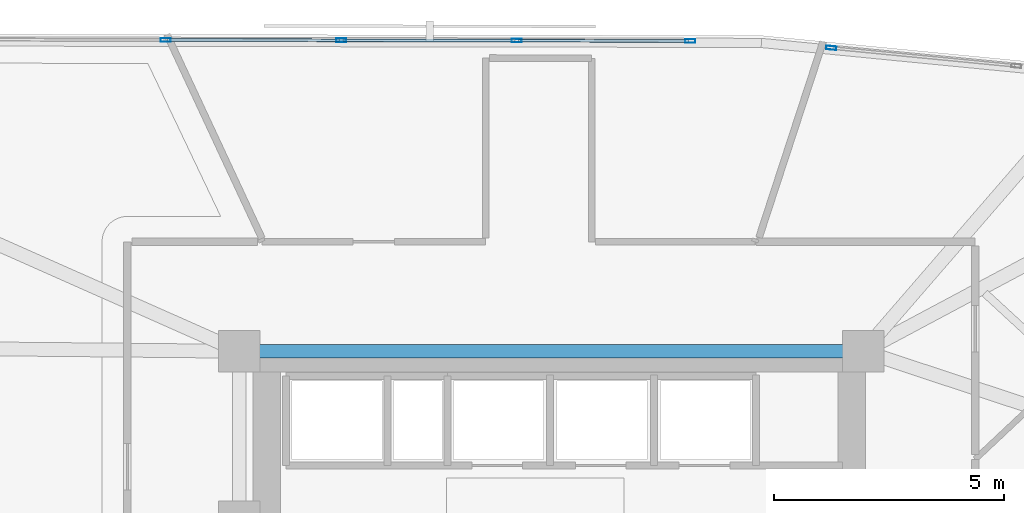
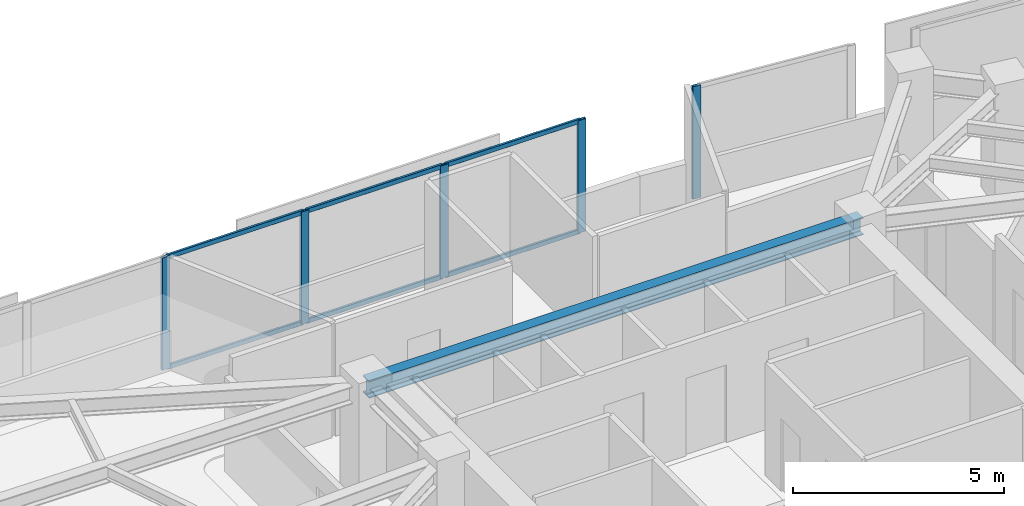
# One storey, part 3 of 14: 11 members, 1 beam, 2 elements without a shape of their own.
"""IFC4 building model written with IfcOpenShell, lengths in metres."""

from ifc_helpers import new_model, si_unit, direction, frame, origin, origin_2d, place, context, subcontext, project, spatial, hollow_rectangle, i_section, extrude, material, material_profile, profile_set, type_object, element, aggregate, save


model = new_model("IFC4")

# Units and contexts
model_context = context("Model", 3, precision=1e-05, world=origin(), true_north=direction((0.0, 1.0)))
body_context = subcontext(model_context, "Body", "Model", "MODEL_VIEW")
ifc_project = project(units=[si_unit("LENGTHUNIT", "METRE"), si_unit("AREAUNIT", "SQUARE_METRE"), si_unit("VOLUMEUNIT", "CUBIC_METRE"), si_unit("PLANEANGLEUNIT", "RADIAN"), si_unit("MASSUNIT", "GRAM", prefix="KILO")], contexts=[model_context])

# Site, building, storey
site_placement = place(None, origin())
site = spatial("IfcSite", under=ifc_project, at=site_placement, CompositionType="ELEMENT")
building_placement = place(site_placement, origin())
building = spatial("IfcBuilding", under=site, at=building_placement, Name="Narakoshi Arena Tower", CompositionType="ELEMENT")
storey_placement = place(building_placement, frame((0.0, 0.0, 250.179931640625)))
storey = spatial("IfcBuildingStorey", under=building, at=storey_placement, Name="L68", CompositionType="ELEMENT", Elevation=250.179931640625)

# Beam
ifc_material_1 = material(Name="Structural steel S355J2", Category="steel")
ifc_material_profile_1 = material_profile(ifc_material_1, i_section(OverallWidth=0.300048828125, OverallDepth=0.5, WebThickness=0.014404296875, FlangeThickness=0.028076171875, FilletRadius=0.027099609375, at=origin_2d()), Name="HE500B")
ifc_profile_set_1 = profile_set([ifc_material_profile_1], Name="Structural steel S355J2")
beam_type = type_object("IfcBeamType", Name="BM-PRI-500", PredefinedType="BEAM", material=ifc_profile_set_1)
beam_placement = place(storey_placement, frame((72.0, 56.5, 3.010009765625), z_axis=(1.0, 0.0, 0.0), x_axis=(0.0, 1.0, 0.0)))
element("IfcBeam", 1, at=beam_placement, inside=storey, type_object=beam_type, Name="L68 Core Perimeter Frame Beam CC5-CC6", PredefinedType="BEAM", context=body_context, shape_type="SweptSolid", body=[
    extrude(i_section(OverallWidth=0.300048828125, OverallDepth=0.5, WebThickness=0.014404296875, FlangeThickness=0.028076171875, FilletRadius=0.027099609375, at=origin_2d()), origin(), (0.0, 0.0, 1.0), 13.550048828125),
])

# Curtain wall, member
ifc_material_2 = material(Name="Anodised bronze aluminium 6063-T6", Category="aluminium")
curtain_wall_type = type_object("IfcCurtainWallType", Name="CW-HYP-HIGH", PredefinedType="NOTDEFINED", material=ifc_material_2)
curtain_wall_1_placement = place(storey_placement, origin())
curtain_wall_1 = element("IfcCurtainWall", 2, at=curtain_wall_1_placement, inside=storey, type_object=curtain_wall_type, Name="L68 Folded Hypotenuse Curtain Wall 1-2", PredefinedType="NOTDEFINED")
ifc_material_profile_2 = material_profile(ifc_material_2, hollow_rectangle(XDim=0.080078125, YDim=0.219970703125, WallThickness=0.0048828125, OuterFilletRadius=0.006103515625, at=origin_2d()), Name="MUL220x80x5")
ifc_profile_set_2 = profile_set([ifc_material_profile_2], Name="Anodised bronze aluminium 6063-T6")
member_type_1 = type_object("IfcMemberType", Name="MEM-MUL-220", PredefinedType="MULLION", material=ifc_profile_set_2)
member_1_placement = place(storey_placement, frame((84.853515625, 63.084716796875, 0.0), z_axis=(0.0, 0.0, 1.0), x_axis=(-0.096842858471, -0.995299683896, 0.0)))
member_1 = element("IfcMember", 3, at=member_1_placement, type_object=member_type_1, Name="CW-03 mullion 2", PredefinedType="MULLION", context=body_context, shape_type="SweptSolid", body=[
    extrude(hollow_rectangle(XDim=0.080078125, YDim=0.219970703125, WallThickness=0.0048828125, OuterFilletRadius=0.006103515625, at=origin_2d()), origin(), (0.0, 0.0, 1.0), 3.260009765625),
])
aggregate(curtain_wall_1, [member_1])

# Curtain wall, members
curtain_wall_2_placement = place(storey_placement, origin())
curtain_wall_2 = element("IfcCurtainWall", 4, at=curtain_wall_2_placement, inside=storey, type_object=curtain_wall_type, Name="L68 Folded Hypotenuse Curtain Wall 2-1", PredefinedType="NOTDEFINED")
member_2_placement = place(storey_placement, frame((81.792236328125, 63.236083984375, 0.0), z_axis=(0.0, 0.0, 1.0), x_axis=(-0.001819896899, -0.999998343986, 0.0)))
member_2 = element("IfcMember", 5, at=member_2_placement, type_object=member_type_1, Name="CW-03 mullion 1", PredefinedType="MULLION", context=body_context, shape_type="SweptSolid", body=[
    extrude(hollow_rectangle(XDim=0.080078125, YDim=0.219970703125, WallThickness=0.0048828125, OuterFilletRadius=0.006103515625, at=origin_2d()), origin(), (0.0, 0.0, 1.0), 3.260009765625),
])
member_3_placement = place(storey_placement, frame((78.0224609375, 63.242919921875, 0.0), z_axis=(0.0, 0.0, 1.0), x_axis=(-0.001819896899, -0.999998343986, 0.0)))
member_3 = element("IfcMember", 6, at=member_3_placement, type_object=member_type_1, Name="CW-03 mullion 2", PredefinedType="MULLION", context=body_context, shape_type="SweptSolid", body=[
    extrude(hollow_rectangle(XDim=0.080078125, YDim=0.219970703125, WallThickness=0.0048828125, OuterFilletRadius=0.006103515625, at=origin_2d()), origin(), (0.0, 0.0, 1.0), 3.260009765625),
])
member_4_placement = place(storey_placement, frame((74.212890625, 63.249755859375, 0.0), z_axis=(0.0, 0.0, 1.0), x_axis=(-0.001819896899, -0.999998343986, 0.0)))
member_4 = element("IfcMember", 7, at=member_4_placement, type_object=member_type_1, Name="CW-03 mullion 3", PredefinedType="MULLION", context=body_context, shape_type="SweptSolid", body=[
    extrude(hollow_rectangle(XDim=0.080078125, YDim=0.219970703125, WallThickness=0.0048828125, OuterFilletRadius=0.006103515625, at=origin_2d()), origin(), (0.0, 0.0, 1.0), 3.260009765625),
])
member_5_placement = place(storey_placement, frame((70.403076171875, 63.2568359375, 0.0), z_axis=(0.0, 0.0, 1.0), x_axis=(-0.001819896899, -0.999998343986, 0.0)))
member_5 = element("IfcMember", 8, at=member_5_placement, type_object=member_type_1, Name="CW-03 mullion 4", PredefinedType="MULLION", context=body_context, shape_type="SweptSolid", body=[
    extrude(hollow_rectangle(XDim=0.080078125, YDim=0.219970703125, WallThickness=0.0048828125, OuterFilletRadius=0.006103515625, at=origin_2d()), origin(), (0.0, 0.0, 1.0), 3.260009765625),
])
ifc_material_profile_3 = material_profile(ifc_material_2, hollow_rectangle(XDim=0.06494140625, YDim=0.1298828125, WallThickness=0.00390625, OuterFilletRadius=0.0048828125, at=origin_2d()), Name="TRN130x65x4")
ifc_profile_set_3 = profile_set([ifc_material_profile_3], Name="Anodised bronze aluminium 6063-T6")
member_type_2 = type_object("IfcMemberType", Name="MEM-TRN-130", PredefinedType="USERDEFINED", material=ifc_profile_set_3)
member_6_placement = place(storey_placement, frame((81.752197265625, 63.236083984375, 0.032470703125), z_axis=(-0.999998283738, 0.001852706408, 0.0), x_axis=(-0.001852706408, -0.999998283738, 0.0)))
member_6 = element("IfcMember", 9, at=member_6_placement, type_object=member_type_2, Name="CW-03 transom 1.1", ObjectType="TRANSOM", PredefinedType="USERDEFINED", context=body_context, shape_type="SweptSolid", body=[
    extrude(hollow_rectangle(XDim=0.06494140625, YDim=0.1298828125, WallThickness=0.00390625, OuterFilletRadius=0.0048828125, at=origin_2d()), origin(), (0.0, 0.0, 1.0), 3.689697265625),
])
member_7_placement = place(storey_placement, frame((81.752197265625, 63.236083984375, 3.2275390625), z_axis=(-0.999998283738, 0.001852706408, 0.0), x_axis=(-0.001852706408, -0.999998283738, 0.0)))
member_7 = element("IfcMember", 10, at=member_7_placement, type_object=member_type_2, Name="CW-03 transom 1.2", ObjectType="TRANSOM", PredefinedType="USERDEFINED", context=body_context, shape_type="SweptSolid", body=[
    extrude(hollow_rectangle(XDim=0.06494140625, YDim=0.1298828125, WallThickness=0.00390625, OuterFilletRadius=0.0048828125, at=origin_2d()), origin(), (0.0, 0.0, 1.0), 3.689697265625),
])
member_8_placement = place(storey_placement, frame((77.982666015625, 63.242919921875, 0.032470703125), z_axis=(-0.999998320389, 0.001832817502, 0.0), x_axis=(-0.001832817502, -0.999998320389, 0.0)))
member_8 = element("IfcMember", 11, at=member_8_placement, type_object=member_type_2, Name="CW-03 transom 2.1", ObjectType="TRANSOM", PredefinedType="USERDEFINED", context=body_context, shape_type="SweptSolid", body=[
    extrude(hollow_rectangle(XDim=0.06494140625, YDim=0.1298828125, WallThickness=0.00390625, OuterFilletRadius=0.0048828125, at=origin_2d()), origin(), (0.0, 0.0, 1.0), 3.729736328125),
])
member_9_placement = place(storey_placement, frame((77.982666015625, 63.242919921875, 3.2275390625), z_axis=(-0.999998320389, 0.001832817502, 0.0), x_axis=(-0.001832817502, -0.999998320389, 0.0)))
member_9 = element("IfcMember", 12, at=member_9_placement, type_object=member_type_2, Name="CW-03 transom 2.2", ObjectType="TRANSOM", PredefinedType="USERDEFINED", context=body_context, shape_type="SweptSolid", body=[
    extrude(hollow_rectangle(XDim=0.06494140625, YDim=0.1298828125, WallThickness=0.00390625, OuterFilletRadius=0.0048828125, at=origin_2d()), origin(), (0.0, 0.0, 1.0), 3.729736328125),
])
member_10_placement = place(storey_placement, frame((74.1728515625, 63.25, 0.032470703125), z_axis=(-0.999998320389, 0.001832817502, 0.0), x_axis=(-0.001832817502, -0.999998320389, 0.0)))
member_10 = element("IfcMember", 13, at=member_10_placement, type_object=member_type_2, Name="CW-03 transom 3.1", ObjectType="TRANSOM", PredefinedType="USERDEFINED", context=body_context, shape_type="SweptSolid", body=[
    extrude(hollow_rectangle(XDim=0.06494140625, YDim=0.1298828125, WallThickness=0.00390625, OuterFilletRadius=0.0048828125, at=origin_2d()), origin(), (0.0, 0.0, 1.0), 3.729736328125),
])
member_11_placement = place(storey_placement, frame((74.1728515625, 63.25, 3.2275390625), z_axis=(-0.999998320389, 0.001832817502, 0.0), x_axis=(-0.001832817502, -0.999998320389, 0.0)))
member_11 = element("IfcMember", 14, at=member_11_placement, type_object=member_type_2, Name="CW-03 transom 3.2", ObjectType="TRANSOM", PredefinedType="USERDEFINED", context=body_context, shape_type="SweptSolid", body=[
    extrude(hollow_rectangle(XDim=0.06494140625, YDim=0.1298828125, WallThickness=0.00390625, OuterFilletRadius=0.0048828125, at=origin_2d()), origin(), (0.0, 0.0, 1.0), 3.729736328125),
])
aggregate(curtain_wall_2, [member_2, member_3, member_4, member_5, member_6, member_7, member_8, member_9, member_10, member_11])

save(model, "model.ifc")
